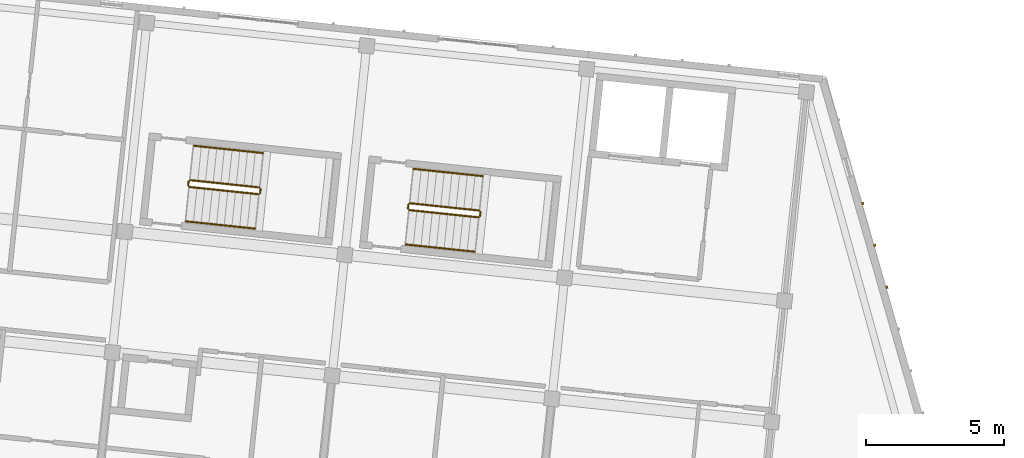
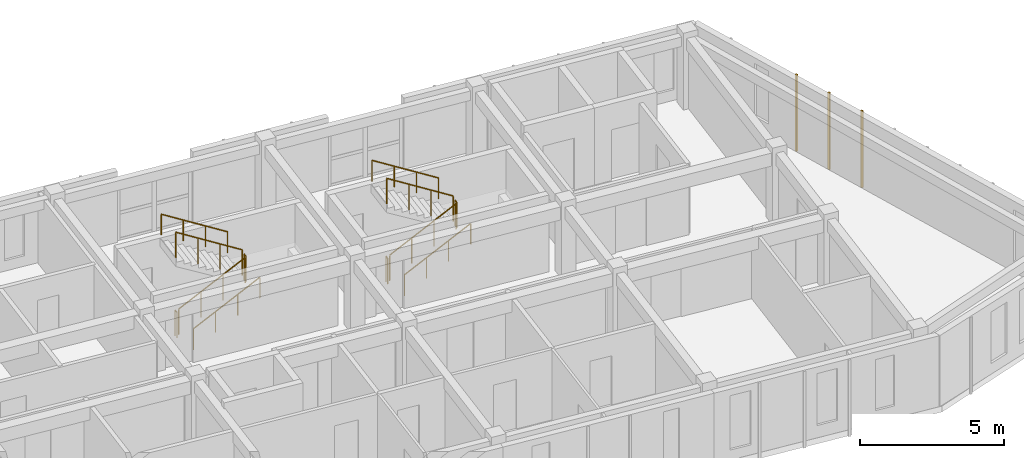
# One storey, part 71 of 74: 12 railings, 3 coverings.
"""IFC4 building model written with IfcOpenShell, lengths in metres."""

from ifc_helpers import new_model, si_unit, direction, frame, origin, origin_2d, place, context, subcontext, project, spatial, rectangle, circle, extrude, material, layer, layer_set, type_object, element, save


model = new_model("IFC4")

# Units and contexts
model_context = context("Model", 3, precision=1e-05, world=origin(), true_north=direction((0.0, 1.0)))
body_context = subcontext(model_context, "Body", "Model", "MODEL_VIEW")
ifc_project = project(units=[si_unit("LENGTHUNIT", "METRE"), si_unit("AREAUNIT", "SQUARE_METRE"), si_unit("VOLUMEUNIT", "CUBIC_METRE"), si_unit("PLANEANGLEUNIT", "RADIAN"), si_unit("MASSUNIT", "GRAM", prefix="KILO")], contexts=[model_context])

# Site, building, storey
site_placement = place(None, origin())
site = spatial("IfcSite", under=ifc_project, at=site_placement, CompositionType="ELEMENT")
building_placement = place(site_placement, origin())
building = spatial("IfcBuilding", under=site, at=building_placement, Name="Kestramere Prow Commons", CompositionType="ELEMENT")
storey_placement = place(building_placement, frame((0.0, 0.0, 11.64990234375)))
storey = spatial("IfcBuildingStorey", under=building, at=storey_placement, Name="L03", CompositionType="ELEMENT", Elevation=11.64990234375)

# Coverings
ifc_material_1 = material(Name="Weathered Zinc-Titanium Standing-Seam Cladding")
ifc_layer = layer(ifc_material_1, 0.074951171875)
ifc_layer_set = layer_set([ifc_layer], Name="Weathered Zinc-Titanium Standing-Seam Cladding")
covering_type = type_object("IfcCoveringType", Name="COV-CLAD-SEAM", PredefinedType="CLADDING", material=ifc_layer_set)
for number, where, z_axis, x_axis, name in (
    (1, (161.824951171875, 105.24462890625, -0.25), (0.0, 0.0, 1.0), (0.27631844013, -0.961066136977, 0.0), "EW-B-L03-PRW-N Standing-Seam Rib 3"),
    (2, (162.260498046875, 103.73046875, -0.25), (0.0, 0.0, 1.0), (0.27631844013, -0.961066136977, 0.0), "EW-B-L03-PRW-N Standing-Seam Rib 4"),
    (3, (162.69580078125, 102.21630859375, -0.25), (0.0, 0.0, 1.0), (0.27631844013, -0.961066136977, 0.0), "EW-B-L03-PRW-N Standing-Seam Rib 5"),
):
    element("IfcCovering", number, at=place(storey_placement, frame(where, z_axis=z_axis, x_axis=x_axis)), inside=storey, type_object=covering_type, Name=name, PredefinedType="CLADDING", context=body_context, shape_type="SweptSolid", body=[
        extrude(rectangle(XDim=0.0849609375, YDim=0.06494140625, at=origin_2d()), origin(), (0.0, 0.0, 1.0), 3.25),
    ])

# Railings
ifc_material_2 = material(Name="Galvanised Steel S275JR", Category="steel")
railing_type_1 = type_object("IfcRailingType", Name="RL-ST-GR-1100", PredefinedType="GUARDRAIL", material=ifc_material_2)
railing_1_placement = place(storey_placement, frame((137.454345703125, 105.8408203125, 0.16259765625)))
element("IfcRailing", 4, at=railing_1_placement, inside=storey, type_object=railing_type_1, Name="L03 ST-B1 stair guard 1", PredefinedType="GUARDRAIL", context=body_context, shape_type="SweptSolid", body=[
    extrude(circle(Radius=0.02392578125, at=origin_2d()), frame((0.0, 0.0, 1.076171875), z_axis=(0.860186756994, -0.09040926464, 0.501901293044), x_axis=(0.104528455675, 0.994521896166, 0.0)), (0.0, 0.0, 1.0), 2.913818359375),
    extrude(circle(Radius=0.02099609375, at=origin_2d()), origin(), (0.0, 0.0, 1.0), 1.052001953125),
    extrude(circle(Radius=0.02099609375, at=origin_2d()), frame((0.83544921875, -0.087890625, 0.487548828125)), (0.0, 0.0, 1.0), 1.052001953125),
    extrude(circle(Radius=0.02099609375, at=origin_2d()), frame((1.6708984375, -0.175537109375, 0.974853515625)), (0.0, 0.0, 1.0), 1.052001953125),
    extrude(circle(Radius=0.02099609375, at=origin_2d()), frame((2.50634765625, -0.263427734375, 1.46240234375)), (0.0, 0.0, 1.0), 1.052001953125),
])
railing_2_placement = place(storey_placement, frame((140.015625, 105.621826171875, 1.625)))
element("IfcRailing", 5, at=railing_2_placement, inside=storey, type_object=railing_type_1, Name="L03 ST-B1 stair guard 2", PredefinedType="GUARDRAIL", context=body_context, shape_type="SweptSolid", body=[
    extrude(circle(Radius=0.02392578125, at=origin_2d()), frame((0.0, 0.0, 1.076171875), z_axis=(0.104176375855, 0.994558838236, 0.0), x_axis=(-0.994558838236, 0.104176375855, 0.0)), (0.0, 0.0, 1.0), 0.14990234375),
    extrude(circle(Radius=0.02099609375, at=origin_2d()), origin(), (0.0, 0.0, 1.0), 1.052001953125),
    extrude(circle(Radius=0.02099609375, at=origin_2d()), frame((0.015625, 0.149169921875, 0.0)), (0.0, 0.0, 1.0), 1.052001953125),
])
railing_3_placement = place(storey_placement, frame((139.98681640625, 105.825927734375, 1.78759765625)))
element("IfcRailing", 6, at=railing_3_placement, inside=storey, type_object=railing_type_1, Name="L03 ST-B1 stair guard 3", PredefinedType="GUARDRAIL", context=body_context, shape_type="SweptSolid", body=[
    extrude(circle(Radius=0.02392578125, at=origin_2d()), frame((0.0, 0.0, 1.076171875), z_axis=(-0.860164962675, 0.090415781269, 0.501937469695), x_axis=(-0.104538527394, -0.994520837534, 0.0)), (0.0, 0.0, 1.0), 2.91357421875),
    extrude(circle(Radius=0.02099609375, at=origin_2d()), origin(), (0.0, 0.0, 1.0), 1.052001953125),
    extrude(circle(Radius=0.02099609375, at=origin_2d()), frame((-0.83544921875, 0.087890625, 0.487548828125)), (0.0, 0.0, 1.0), 1.052001953125),
    extrude(circle(Radius=0.02099609375, at=origin_2d()), frame((-1.670654296875, 0.175537109375, 0.974853515625)), (0.0, 0.0, 1.0), 1.052001953125),
    extrude(circle(Radius=0.02099609375, at=origin_2d()), frame((-2.506103515625, 0.263427734375, 1.46240234375)), (0.0, 0.0, 1.0), 1.052001953125),
])
railing_4_placement = place(storey_placement, frame((137.409912109375, 105.895751953125, 0.0)))
element("IfcRailing", 7, at=railing_4_placement, inside=storey, type_object=railing_type_1, Name="L03 ST-B1 stair guard 4", PredefinedType="GUARDRAIL", context=body_context, shape_type="SweptSolid", body=[
    extrude(circle(Radius=0.02392578125, at=origin_2d()), frame((0.0, 0.0, 1.076171875), z_axis=(0.104176375855, 0.994558838236, 0.0), x_axis=(-0.994558838236, 0.104176375855, 0.0)), (0.0, 0.0, 1.0), 0.14990234375),
    extrude(circle(Radius=0.02099609375, at=origin_2d()), origin(), (0.0, 0.0, 1.0), 1.052001953125),
    extrude(circle(Radius=0.02099609375, at=origin_2d()), frame((0.015625, 0.149169921875, 0.0)), (0.0, 0.0, 1.0), 1.052001953125),
])
railing_5_placement = place(storey_placement, frame((145.41064453125, 105.00439453125, 0.16259765625)))
element("IfcRailing", 8, at=railing_5_placement, inside=storey, type_object=railing_type_1, Name="L03 ST-B2 stair guard 1", PredefinedType="GUARDRAIL", context=body_context, shape_type="SweptSolid", body=[
    extrude(circle(Radius=0.02392578125, at=origin_2d()), frame((0.0, 0.0, 1.076171875), z_axis=(0.860164962675, -0.090415781269, 0.501937469695), x_axis=(0.104538527394, 0.994520837534, 0.0)), (0.0, 0.0, 1.0), 2.91357421875),
    extrude(circle(Radius=0.02099609375, at=origin_2d()), origin(), (0.0, 0.0, 1.0), 1.052001953125),
    extrude(circle(Radius=0.02099609375, at=origin_2d()), frame((0.83544921875, -0.087890625, 0.487548828125)), (0.0, 0.0, 1.0), 1.052001953125),
    extrude(circle(Radius=0.02099609375, at=origin_2d()), frame((1.670654296875, -0.175537109375, 0.974853515625)), (0.0, 0.0, 1.0), 1.052001953125),
    extrude(circle(Radius=0.02099609375, at=origin_2d()), frame((2.506103515625, -0.263427734375, 1.46240234375)), (0.0, 0.0, 1.0), 1.052001953125),
])
railing_6_placement = place(storey_placement, frame((147.9716796875, 104.78564453125, 1.625)))
element("IfcRailing", 9, at=railing_6_placement, inside=storey, type_object=railing_type_1, Name="L03 ST-B2 stair guard 2", PredefinedType="GUARDRAIL", context=body_context, shape_type="SweptSolid", body=[
    extrude(circle(Radius=0.02392578125, at=origin_2d()), frame((0.0, 0.0, 1.076171875), z_axis=(0.105786054594, 0.994388913179, 0.0), x_axis=(-0.994388913179, 0.105786054594, 0.0)), (0.0, 0.0, 1.0), 0.14990234375),
    extrude(circle(Radius=0.02099609375, at=origin_2d()), origin(), (0.0, 0.0, 1.0), 1.052001953125),
    extrude(circle(Radius=0.02099609375, at=origin_2d()), frame((0.015869140625, 0.149169921875, 0.0)), (0.0, 0.0, 1.0), 1.052001953125),
])
railing_7_placement = place(storey_placement, frame((147.94287109375, 104.98974609375, 1.78759765625)))
element("IfcRailing", 10, at=railing_7_placement, inside=storey, type_object=railing_type_1, Name="L03 ST-B2 stair guard 3", PredefinedType="GUARDRAIL", context=body_context, shape_type="SweptSolid", body=[
    extrude(circle(Radius=0.02392578125, at=origin_2d()), frame((0.0, 0.0, 1.076171875), z_axis=(-0.860164962675, 0.090415781269, 0.501937469695), x_axis=(-0.104538527394, -0.994520837534, 0.0)), (0.0, 0.0, 1.0), 2.91357421875),
    extrude(circle(Radius=0.02099609375, at=origin_2d()), origin(), (0.0, 0.0, 1.0), 1.052001953125),
    extrude(circle(Radius=0.02099609375, at=origin_2d()), frame((-0.83544921875, 0.087890625, 0.487548828125)), (0.0, 0.0, 1.0), 1.052001953125),
    extrude(circle(Radius=0.02099609375, at=origin_2d()), frame((-1.670654296875, 0.175537109375, 0.974853515625)), (0.0, 0.0, 1.0), 1.052001953125),
    extrude(circle(Radius=0.02099609375, at=origin_2d()), frame((-2.506103515625, 0.263427734375, 1.46240234375)), (0.0, 0.0, 1.0), 1.052001953125),
])
railing_8_placement = place(storey_placement, frame((145.3662109375, 105.059326171875, 0.0)))
element("IfcRailing", 11, at=railing_8_placement, inside=storey, type_object=railing_type_1, Name="L03 ST-B2 stair guard 4", PredefinedType="GUARDRAIL", context=body_context, shape_type="SweptSolid", body=[
    extrude(circle(Radius=0.02392578125, at=origin_2d()), frame((0.0, 0.0, 1.076171875), z_axis=(0.104176375855, 0.994558838236, 0.0), x_axis=(-0.994558838236, 0.104176375855, 0.0)), (0.0, 0.0, 1.0), 0.14990234375),
    extrude(circle(Radius=0.02099609375, at=origin_2d()), origin(), (0.0, 0.0, 1.0), 1.052001953125),
    extrude(circle(Radius=0.02099609375, at=origin_2d()), frame((0.015625, 0.149169921875, 0.0)), (0.0, 0.0, 1.0), 1.052001953125),
])
ifc_material_3 = material(Name="Stainless Steel 304", Category="steel")
railing_type_2 = type_object("IfcRailingType", Name="RL-ST-HR-900", PredefinedType="HANDRAIL", material=ifc_material_3)
railing_9_placement = place(storey_placement, frame((137.32373046875, 104.59765625, 0.3251953125)))
element("IfcRailing", 12, at=railing_9_placement, inside=storey, type_object=railing_type_2, Name="L03 ST-B1 stair handrail 1", PredefinedType="HANDRAIL", context=body_context, shape_type="SweptSolid", body=[
    extrude(circle(Radius=0.02392578125, at=origin_2d()), frame((0.0, 0.0, 0.8759765625), z_axis=(0.860186756994, -0.09040926464, 0.501901293044), x_axis=(0.104528455675, 0.994521896166, 0.0)), (0.0, 0.0, 1.0), 2.913818359375),
    extrude(circle(Radius=0.02099609375, at=origin_2d()), origin(), (0.0, 0.0, 1.0), 0.851806640625),
    extrude(circle(Radius=0.02099609375, at=origin_2d()), frame((0.83544921875, -0.087890625, 0.487548828125)), (0.0, 0.0, 1.0), 0.851806640625),
    extrude(circle(Radius=0.02099609375, at=origin_2d()), frame((1.6708984375, -0.175537109375, 0.974853515625)), (0.0, 0.0, 1.0), 0.851806640625),
    extrude(circle(Radius=0.02099609375, at=origin_2d()), frame((2.50634765625, -0.263427734375, 1.46240234375)), (0.0, 0.0, 1.0), 0.851806640625),
])
railing_10_placement = place(storey_placement, frame((140.117431640625, 107.069091796875, 1.9501953125)))
element("IfcRailing", 13, at=railing_10_placement, inside=storey, type_object=railing_type_2, Name="L03 ST-B1 stair handrail 2", PredefinedType="HANDRAIL", context=body_context, shape_type="SweptSolid", body=[
    extrude(circle(Radius=0.02392578125, at=origin_2d()), frame((0.0, 0.0, 0.8759765625), z_axis=(-0.860164962675, 0.090415781269, 0.501937469695), x_axis=(-0.104538527394, -0.994520837534, 0.0)), (0.0, 0.0, 1.0), 2.91357421875),
    extrude(circle(Radius=0.02099609375, at=origin_2d()), origin(), (0.0, 0.0, 1.0), 0.851806640625),
    extrude(circle(Radius=0.02099609375, at=origin_2d()), frame((-0.83544921875, 0.087890625, 0.487548828125)), (0.0, 0.0, 1.0), 0.851806640625),
    extrude(circle(Radius=0.02099609375, at=origin_2d()), frame((-1.670654296875, 0.175537109375, 0.974853515625)), (0.0, 0.0, 1.0), 0.851806640625),
    extrude(circle(Radius=0.02099609375, at=origin_2d()), frame((-2.506103515625, 0.263427734375, 1.46240234375)), (0.0, 0.0, 1.0), 0.851806640625),
])
railing_11_placement = place(storey_placement, frame((145.280029296875, 103.76123046875, 0.3251953125)))
element("IfcRailing", 14, at=railing_11_placement, inside=storey, type_object=railing_type_2, Name="L03 ST-B2 stair handrail 1", PredefinedType="HANDRAIL", context=body_context, shape_type="SweptSolid", body=[
    extrude(circle(Radius=0.02392578125, at=origin_2d()), frame((0.0, 0.0, 0.8759765625), z_axis=(0.860164962675, -0.090415781269, 0.501937469695), x_axis=(0.104538527394, 0.994520837534, 0.0)), (0.0, 0.0, 1.0), 2.91357421875),
    extrude(circle(Radius=0.02099609375, at=origin_2d()), origin(), (0.0, 0.0, 1.0), 0.851806640625),
    extrude(circle(Radius=0.02099609375, at=origin_2d()), frame((0.83544921875, -0.087890625, 0.487548828125)), (0.0, 0.0, 1.0), 0.851806640625),
    extrude(circle(Radius=0.02099609375, at=origin_2d()), frame((1.670654296875, -0.175537109375, 0.974853515625)), (0.0, 0.0, 1.0), 0.851806640625),
    extrude(circle(Radius=0.02099609375, at=origin_2d()), frame((2.506103515625, -0.263427734375, 1.46240234375)), (0.0, 0.0, 1.0), 0.851806640625),
])
railing_12_placement = place(storey_placement, frame((148.07373046875, 106.23291015625, 1.9501953125)))
element("IfcRailing", 15, at=railing_12_placement, inside=storey, type_object=railing_type_2, Name="L03 ST-B2 stair handrail 2", PredefinedType="HANDRAIL", context=body_context, shape_type="SweptSolid", body=[
    extrude(circle(Radius=0.02392578125, at=origin_2d()), frame((0.0, 0.0, 0.8759765625), z_axis=(-0.860186756994, 0.09040926464, 0.501901293044), x_axis=(-0.104528455675, -0.994521896166, 0.0)), (0.0, 0.0, 1.0), 2.913818359375),
    extrude(circle(Radius=0.02099609375, at=origin_2d()), origin(), (0.0, 0.0, 1.0), 0.851806640625),
    extrude(circle(Radius=0.02099609375, at=origin_2d()), frame((-0.83544921875, 0.087890625, 0.487548828125)), (0.0, 0.0, 1.0), 0.851806640625),
    extrude(circle(Radius=0.02099609375, at=origin_2d()), frame((-1.6708984375, 0.175537109375, 0.974853515625)), (0.0, 0.0, 1.0), 0.851806640625),
    extrude(circle(Radius=0.02099609375, at=origin_2d()), frame((-2.50634765625, 0.263427734375, 1.46240234375)), (0.0, 0.0, 1.0), 0.851806640625),
])

save(model, "model.ifc")
